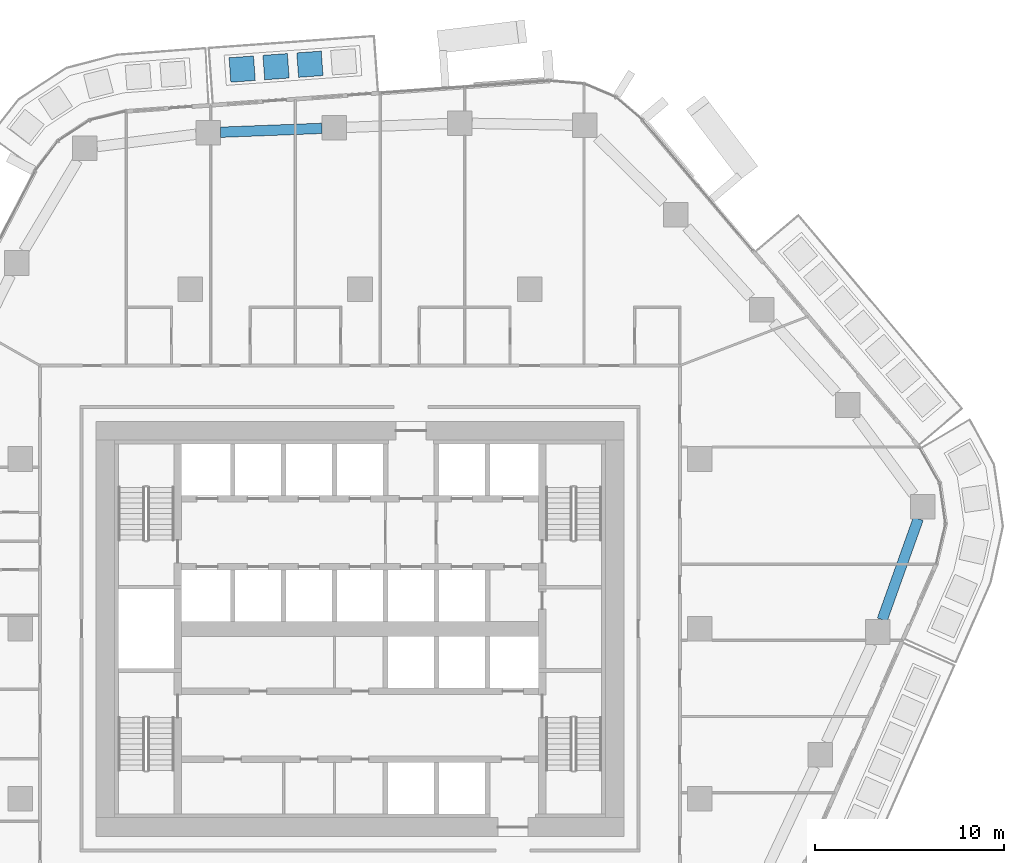
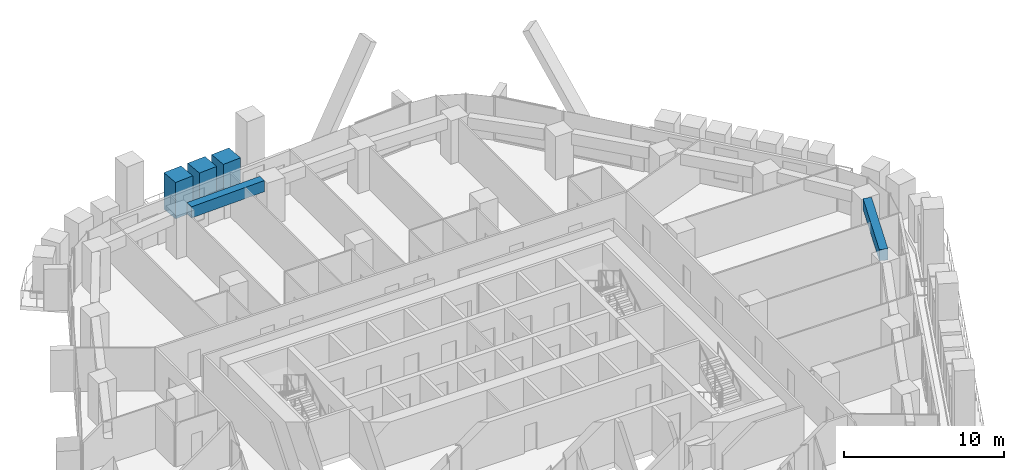
# One storey, part 7 of 24: 3 members, 2 beams.
"""IFC4 building model written with IfcOpenShell, lengths in metres."""

from ifc_helpers import new_model, si_unit, direction, frame, origin, origin_2d, place, context, subcontext, project, spatial, rectangle, extrude, material, material_profile, profile_set, type_object, element, save


model = new_model("IFC4")

# Units and contexts
model_context = context("Model", 3, precision=1e-05, world=origin(), true_north=direction((0.0, 1.0)))
body_context = subcontext(model_context, "Body", "Model", "MODEL_VIEW")
ifc_project = project(units=[si_unit("LENGTHUNIT", "METRE"), si_unit("AREAUNIT", "SQUARE_METRE"), si_unit("VOLUMEUNIT", "CUBIC_METRE"), si_unit("PLANEANGLEUNIT", "RADIAN"), si_unit("MASSUNIT", "GRAM", prefix="KILO")], contexts=[model_context])

# Site, building, storey
site_placement = place(None, origin())
site = spatial("IfcSite", under=ifc_project, at=site_placement, CompositionType="ELEMENT")
building_placement = place(site_placement, origin())
building = spatial("IfcBuilding", under=site, at=building_placement, Name="Dongbaek Canopy Tower", CompositionType="ELEMENT")
storey_placement = place(building_placement, frame((0.0, 0.0, 113.699951171875)))
storey = spatial("IfcBuildingStorey", under=building, at=storey_placement, Name="L24", CompositionType="ELEMENT", Elevation=113.699951171875)

# Beams
ifc_material_1 = material(Name="Concrete C80", Category="concrete")
ifc_material_profile_1 = material_profile(ifc_material_1, rectangle(XDim=0.550048828125, YDim=0.85009765625, at=origin_2d()), Name="RC EDGE BEAM 550x850 C80")
ifc_profile_set_1 = profile_set([ifc_material_profile_1], Name="Concrete C80")
beam_type = type_object("IfcBeamType", Name="RC EDGE BEAM 550x850 C80", PredefinedType="BEAM", material=ifc_profile_set_1)
beam_1_placement = place(storey_placement, frame((-7.39111328125, 26.31298828125, 2.875), z_axis=(0.999264392696, 0.038349361015, 0.0), x_axis=(-0.038349361015, 0.999264392696, 0.0)))
element("IfcBeam", 1, at=beam_1_placement, inside=storey, type_object=beam_type, Name="EDGEBEAM:L24:14", PredefinedType="BEAM", context=body_context, shape_type="SweptSolid", body=[
    extrude(rectangle(XDim=0.550048828125, YDim=0.85009765625, at=origin_2d()), origin(), (0.0, 0.0, 1.0), 5.373046875),
])
beam_2_placement = place(storey_placement, frame((29.578857421875, 5.83203125, 2.875), z_axis=(-0.33649709705, -0.941684503258, 0.0), x_axis=(0.941684503258, -0.33649709705, 0.0)))
element("IfcBeam", 2, at=beam_2_placement, inside=storey, type_object=beam_type, Name="EDGEBEAM:L24:21", PredefinedType="BEAM", context=body_context, shape_type="SweptSolid", body=[
    extrude(rectangle(XDim=0.550048828125, YDim=0.85009765625, at=origin_2d()), origin(), (0.0, 0.0, 1.0), 5.677978515625),
])

# Members
ifc_material_2 = material(Name="Concrete C40/50 planter mass with planting", Category="concrete")
ifc_material_profile_2 = material_profile(ifc_material_2, rectangle(XDim=1.300048828125, YDim=1.300048828125, at=origin_2d()), Name="Terrace PLANTER shrub mass 1300 x 1300")
ifc_profile_set_2 = profile_set([ifc_material_profile_2], Name="Concrete C40/50 planter mass with planting")
member_type = type_object("IfcMemberType", Name="Terrace PLANTER shrub mass 1300 x 1300", PredefinedType="USERDEFINED", material=ifc_profile_set_2)
member_1_placement = place(storey_placement, frame((-2.654541015625, 29.916015625, 0.420166015625), z_axis=(0.0, 0.0, 1.0), x_axis=(-0.071742796309, 0.997423165551, 0.0)))
element("IfcMember", 3, at=member_1_placement, inside=storey, type_object=member_type, Name="Planter shrubs L24 2.2", ObjectType="PLANTER", PredefinedType="USERDEFINED", context=body_context, shape_type="SweptSolid", body=[
    extrude(rectangle(XDim=1.300048828125, YDim=1.300048828125, at=origin_2d()), origin(), (0.0, 0.0, 1.0), 2.72998046875),
])
member_2_placement = place(storey_placement, frame((-4.44873046875, 29.787109375, 0.420166015625), z_axis=(0.0, 0.0, 1.0), x_axis=(-0.071742796309, 0.997423165551, 0.0)))
element("IfcMember", 4, at=member_2_placement, inside=storey, type_object=member_type, Name="Planter shrubs L24 2.3", ObjectType="PLANTER", PredefinedType="USERDEFINED", context=body_context, shape_type="SweptSolid", body=[
    extrude(rectangle(XDim=1.300048828125, YDim=1.300048828125, at=origin_2d()), origin(), (0.0, 0.0, 1.0), 2.77978515625),
])
member_3_placement = place(storey_placement, frame((-6.242919921875, 29.657958984375, 0.420166015625), z_axis=(0.0, 0.0, 1.0), x_axis=(-0.071742796309, 0.997423165551, 0.0)))
element("IfcMember", 5, at=member_3_placement, inside=storey, type_object=member_type, Name="Planter shrubs L24 2.4", ObjectType="PLANTER", PredefinedType="USERDEFINED", context=body_context, shape_type="SweptSolid", body=[
    extrude(rectangle(XDim=1.300048828125, YDim=1.300048828125, at=origin_2d()), origin(), (0.0, 0.0, 1.0), 2.769775390625),
])

save(model, "model.ifc")
